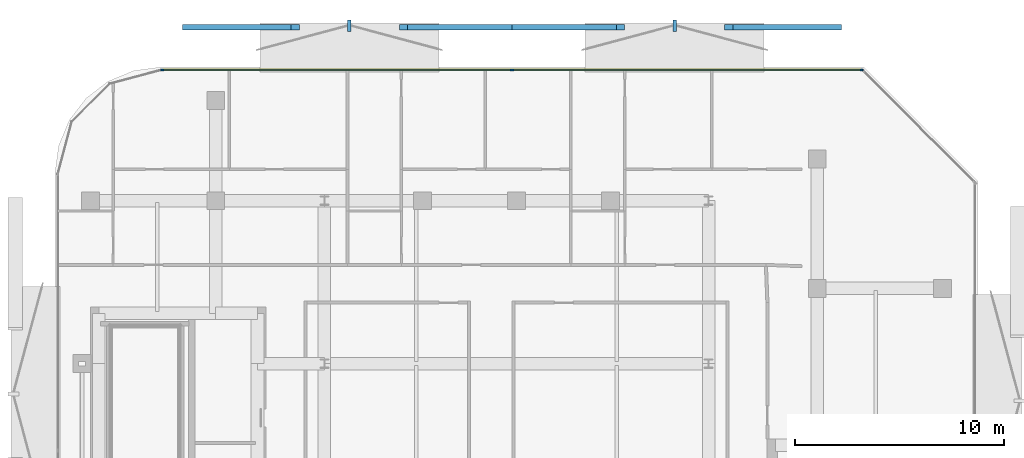
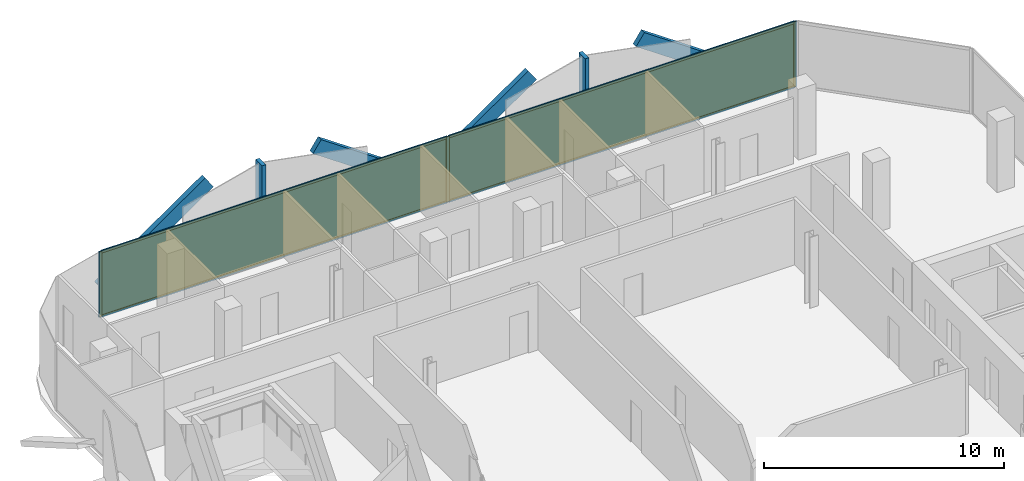
# One storey, part 11 of 15: 13 members, 2 plates, 1 curtain wall.
"""IFC4 building model written with IfcOpenShell, lengths in metres."""

from ifc_helpers import new_model, si_unit, direction, frame, frame_2d, origin, origin_2d, place, context, subcontext, project, spatial, rectangle, extrude, material, layer, layer_set, material_profile, profile_set, type_object, element, aggregate, save


model = new_model("IFC4")

# Units and contexts
model_context = context("Model", 3, precision=1e-05, world=origin(), true_north=direction((0.0, 1.0)))
body_context = subcontext(model_context, "Body", "Model", "MODEL_VIEW")
ifc_project = project(units=[si_unit("LENGTHUNIT", "METRE"), si_unit("AREAUNIT", "SQUARE_METRE"), si_unit("VOLUMEUNIT", "CUBIC_METRE"), si_unit("PLANEANGLEUNIT", "RADIAN"), si_unit("MASSUNIT", "GRAM", prefix="KILO")], contexts=[model_context])

# Member
ifc_material_1 = material(Name="Anodised Bronze Aluminium 6063-T6", Category="aluminium")
ifc_material_profile_1 = material_profile(ifc_material_1, rectangle(XDim=0.260009765625, YDim=0.699951171875, at=origin_2d()))
ifc_profile_set_1 = profile_set([ifc_material_profile_1], Name="Anodised Bronze Aluminium 6063-T6")
member_type_1 = type_object("IfcMemberType", Name="Bronze Diamond Solar-Screen Lattice Rib BDL-700", PredefinedType="MULLION", material=ifc_profile_set_1)
site_placement = place(None, origin())
building_placement = place(site_placement, origin())
storey_placement = place(building_placement, frame((0.0, 0.0, 244.0)))
member_1_placement = place(storey_placement, frame((-15.790771484375, 26.89990234375, -0.1298828125), z_axis=(0.821799702658, 0.0, 0.569776490135), x_axis=(0.0, 1.0, 0.0)))
member_1 = element("IfcMember", 1, at=member_1_placement, type_object=member_type_1, Name="L57 Bronze Diamond Solar Screen Lattice Rib 389A", PredefinedType="MULLION", context=body_context, shape_type="SweptSolid", body=[
    extrude(rectangle(XDim=0.260009765625, YDim=0.699951171875, at=origin_2d()), origin(), (0.0, 0.0, 1.0), 6.318115234375),
])

member_2_placement = place(storey_placement, frame((-0.21435546875, 26.89990234375, -0.1298828125), z_axis=(-0.821799702658, 0.0, 0.569776490135), x_axis=(0.0, -1.0, 0.0)))
member_2 = element("IfcMember", 2, at=member_2_placement, type_object=member_type_1, Name="L57 Bronze Diamond Solar Screen Lattice Rib 389B", PredefinedType="MULLION", context=body_context, shape_type="SweptSolid", body=[
    extrude(rectangle(XDim=0.260009765625, YDim=0.699951171875, at=origin_2d()), origin(), (0.0, 0.0, 1.0), 6.318115234375),
])

member_3_placement = place(storey_placement, frame((-0.21435546875, 26.89990234375, -0.1298828125), z_axis=(0.821799702658, 0.0, 0.569776490135), x_axis=(0.0, 1.0, 0.0)))
member_3 = element("IfcMember", 3, at=member_3_placement, type_object=member_type_1, Name="L57 Bronze Diamond Solar Screen Lattice Rib 390A", PredefinedType="MULLION", context=body_context, shape_type="SweptSolid", body=[
    extrude(rectangle(XDim=0.260009765625, YDim=0.699951171875, at=origin_2d()), origin(), (0.0, 0.0, 1.0), 6.318115234375),
])

member_4_placement = place(storey_placement, frame((15.362060546875, 26.89990234375, -0.1298828125), z_axis=(-0.821799702658, 0.0, 0.569776490135), x_axis=(0.0, -1.0, 0.0)))
member_4 = element("IfcMember", 4, at=member_4_placement, type_object=member_type_1, Name="L57 Bronze Diamond Solar Screen Lattice Rib 390B", PredefinedType="MULLION", context=body_context, shape_type="SweptSolid", body=[
    extrude(rectangle(XDim=0.260009765625, YDim=0.699951171875, at=origin_2d()), origin(), (0.0, 0.0, 1.0), 6.318115234375),
])

ifc_material_2 = material(Name="Anodised Bronze Aluminium 6063-T6", Category="aluminium")
ifc_material_profile_2 = material_profile(ifc_material_2, rectangle(XDim=0.179931640625, YDim=0.5400390625, at=origin_2d()))
ifc_profile_set_2 = profile_set([ifc_material_profile_2], Name="Anodised Bronze Aluminium 6063-T6")
member_type_2 = type_object("IfcMemberType", Name="Bronze Solar-Screen Vertical Fold Fin BSF-540", PredefinedType="MULLION", material=ifc_profile_set_2)
member_5_placement = place(storey_placement, frame((-8.002685546875, 26.97998046875, -0.1298828125), z_axis=(0.0, 0.0, 1.0), x_axis=(1.0, 0.0, 0.0)))
member_5 = element("IfcMember", 5, at=member_5_placement, type_object=member_type_2, Name="L57 Bronze Solar Screen Vertical Fin 389", PredefinedType="MULLION", context=body_context, shape_type="SweptSolid", body=[
    extrude(rectangle(XDim=0.179931640625, YDim=0.5400390625, at=origin_2d()), origin(), (0.0, 0.0, 1.0), 3.599853515625),
])

member_6_placement = place(storey_placement, frame((7.57373046875, 26.97998046875, -0.1298828125), z_axis=(0.0, 0.0, 1.0), x_axis=(1.0, 0.0, 0.0)))
member_6 = element("IfcMember", 6, at=member_6_placement, type_object=member_type_2, Name="L57 Bronze Solar Screen Vertical Fin 390", PredefinedType="MULLION", context=body_context, shape_type="SweptSolid", body=[
    extrude(rectangle(XDim=0.179931640625, YDim=0.5400390625, at=origin_2d()), origin(), (0.0, 0.0, 1.0), 3.599853515625),
])

ifc_material_3 = material(Name="Anodised Bronze Aluminium 6063-T6", Category="aluminium")
ifc_material_profile_3 = material_profile(ifc_material_3, rectangle(XDim=0.06005859375, YDim=0.159912109375, at=origin_2d()))
ifc_profile_set_3 = profile_set([ifc_material_profile_3], Name="Anodised Bronze Aluminium 6063-T6")
member_type_3 = type_object("IfcMemberType", Name="CW-Z4 Mullion 60x160", PredefinedType="MULLION", material=ifc_profile_set_3)
member_7_placement = place(storey_placement, frame((-16.960693359375, 24.860107421875, 0.0), z_axis=(0.0, 0.0, 1.0), x_axis=(0.0, 1.0, 0.0)))
member_7 = element("IfcMember", 7, at=member_7_placement, type_object=member_type_3, Name="CW-Z4 mullion 1", PredefinedType="MULLION", context=body_context, shape_type="SweptSolid", body=[
    extrude(rectangle(XDim=0.06005859375, YDim=0.159912109375, at=origin_2d()), origin(), (0.0, 0.0, 1.0), 3.340087890625),
])

member_8_placement = place(storey_placement, frame((-0.21435546875, 24.860107421875, 0.0), z_axis=(0.0, 0.0, 1.0), x_axis=(0.0, 1.0, 0.0)))
member_8 = element("IfcMember", 8, at=member_8_placement, type_object=member_type_3, Name="CW-Z4 mullion 2", PredefinedType="MULLION", context=body_context, shape_type="SweptSolid", body=[
    extrude(rectangle(XDim=0.06005859375, YDim=0.159912109375, at=origin_2d()), origin(), (0.0, 0.0, 1.0), 3.340087890625),
])

member_9_placement = place(storey_placement, frame((16.531982421875, 24.860107421875, 0.0), z_axis=(0.0, 0.0, 1.0), x_axis=(0.0, 1.0, 0.0)))
member_9 = element("IfcMember", 9, at=member_9_placement, type_object=member_type_3, Name="CW-Z4 mullion 3", PredefinedType="MULLION", context=body_context, shape_type="SweptSolid", body=[
    extrude(rectangle(XDim=0.06005859375, YDim=0.159912109375, at=origin_2d()), origin(), (0.0, 0.0, 1.0), 3.340087890625),
])

ifc_material_4 = material(Name="Anodised Bronze Aluminium 6063-T6", Category="aluminium")
ifc_material_profile_4 = material_profile(ifc_material_4, rectangle(XDim=0.06005859375, YDim=0.125, at=origin_2d()))
ifc_profile_set_4 = profile_set([ifc_material_profile_4], Name="Anodised Bronze Aluminium 6063-T6")
member_type_4 = type_object("IfcMemberType", Name="CW-Z4 Transom 60x125", PredefinedType="USERDEFINED", material=ifc_profile_set_4)
member_10_placement = place(storey_placement, frame((-16.930908203125, 24.860107421875, 0.030029296875), z_axis=(1.0, 0.0, 0.0), x_axis=(0.0, 1.0, 0.0)))
member_10 = element("IfcMember", 10, at=member_10_placement, type_object=member_type_4, Name="CW-Z4 transom 1.1", ObjectType="TRANSOM", PredefinedType="USERDEFINED", context=body_context, shape_type="SweptSolid", body=[
    extrude(rectangle(XDim=0.06005859375, YDim=0.125, at=origin_2d()), origin(), (0.0, 0.0, 1.0), 16.6865234375),
])

member_11_placement = place(storey_placement, frame((-16.930908203125, 24.860107421875, 3.31005859375), z_axis=(1.0, 0.0, 0.0), x_axis=(0.0, 1.0, 0.0)))
member_11 = element("IfcMember", 11, at=member_11_placement, type_object=member_type_4, Name="CW-Z4 transom 1.2", ObjectType="TRANSOM", PredefinedType="USERDEFINED", context=body_context, shape_type="SweptSolid", body=[
    extrude(rectangle(XDim=0.06005859375, YDim=0.125, at=origin_2d()), origin(), (0.0, 0.0, 1.0), 16.6865234375),
])

member_12_placement = place(storey_placement, frame((-0.184326171875, 24.860107421875, 0.030029296875), z_axis=(1.0, 0.0, 0.0), x_axis=(0.0, 1.0, 0.0)))
member_12 = element("IfcMember", 12, at=member_12_placement, type_object=member_type_4, Name="CW-Z4 transom 2.1", ObjectType="TRANSOM", PredefinedType="USERDEFINED", context=body_context, shape_type="SweptSolid", body=[
    extrude(rectangle(XDim=0.06005859375, YDim=0.125, at=origin_2d()), origin(), (0.0, 0.0, 1.0), 16.686279296875),
])

member_13_placement = place(storey_placement, frame((-0.184326171875, 24.860107421875, 3.31005859375), z_axis=(1.0, 0.0, 0.0), x_axis=(0.0, 1.0, 0.0)))
member_13 = element("IfcMember", 13, at=member_13_placement, type_object=member_type_4, Name="CW-Z4 transom 2.2", ObjectType="TRANSOM", PredefinedType="USERDEFINED", context=body_context, shape_type="SweptSolid", body=[
    extrude(rectangle(XDim=0.06005859375, YDim=0.125, at=origin_2d()), origin(), (0.0, 0.0, 1.0), 16.686279296875),
])

# Plate
ifc_material_5 = material(Name="Low-E Solar Control Laminated Glass", Category="glass")
ifc_layer_1 = layer(ifc_material_5, 0.030029296875, Name="Low-E Solar Control Laminated Glass")
ifc_layer_set_1 = layer_set([ifc_layer_1], Name="Low-E Solar Control Laminated Glass")
plate_type = type_object("IfcPlateType", Name="CW-Z4 Low-E Double Glazed Panel 30mm", PredefinedType="CURTAIN_PANEL", material=ifc_layer_set_1)
plate_1_placement = place(storey_placement, frame((-8.587646484375, 24.860107421875, 0.06005859375), z_axis=(0.0, 0.0, 1.0), x_axis=(1.0, 0.0, 0.0)))
plate_1 = element("IfcPlate", 14, at=plate_1_placement, type_object=plate_type, Name="CW-Z4 panel 1.1", PredefinedType="CURTAIN_PANEL", context=body_context, shape_type="SweptSolid", body=[
    extrude(rectangle(XDim=16.686279296875, YDim=0.030029296875, at=origin_2d()), origin(), (0.0, 0.0, 1.0), 3.219970703125),
])

plate_2_placement = place(storey_placement, frame((8.15869140625, 24.860107421875, 0.06005859375), z_axis=(0.0, 0.0, 1.0), x_axis=(1.0, 0.0, 0.0)))
plate_2 = element("IfcPlate", 15, at=plate_2_placement, type_object=plate_type, Name="CW-Z4 panel 2.1", PredefinedType="CURTAIN_PANEL", context=body_context, shape_type="SweptSolid", body=[
    extrude(rectangle(XDim=16.686279296875, YDim=0.030029296875, at=origin_2d()), origin(), (0.0, 0.0, 1.0), 3.219970703125),
])

# Site, building, storey
site = spatial("IfcSite", under=ifc_project, at=site_placement, CompositionType="ELEMENT")
building = spatial("IfcBuilding", under=site, at=building_placement, Name="Khairoan Windgate Tower", CompositionType="ELEMENT")
storey = spatial("IfcBuildingStorey", under=building, at=storey_placement, Name="L57", CompositionType="ELEMENT", Elevation=244.0)

# Curtain wall
ifc_material_6 = material(Name="Anodised Bronze Aluminium 6063-T6", Category="aluminium")
ifc_layer_2 = layer(ifc_material_6, 0.159912109375, Name="Anodised Bronze Aluminium 6063-T6")
ifc_layer_set_2 = layer_set([ifc_layer_2], Name="Anodised Bronze Aluminium 6063-T6")
curtain_wall_type = type_object("IfcCurtainWallType", Name="Sky Residence Unitised Curtain Wall CW-Z4", PredefinedType="NOTDEFINED", material=ifc_layer_set_2)
curtain_wall_placement = place(storey_placement, frame((-16.99072265625, 24.860107421875, 0.0), z_axis=(0.0, 0.0, 1.0), x_axis=(1.0, 0.0, 0.0)))
curtain_wall = element("IfcCurtainWall", 16, at=curtain_wall_placement, inside=storey, type_object=curtain_wall_type, Name="L57 Unitised Curtain Wall 9", PredefinedType="NOTDEFINED", context=body_context, shape_type="SweptSolid", body=[
    extrude(rectangle(XDim=33.552734375, YDim=0.010009765625, at=frame_2d((16.7763671875, 0.0))), origin(), (0.0, 0.0, 1.0), 3.340087890625),
])

aggregate(curtain_wall, [member_7, member_8, member_9, member_10, member_11, plate_1, member_12, member_13, plate_2, member_1, member_2, member_5, member_3, member_4, member_6])

save(model, "model.ifc")
